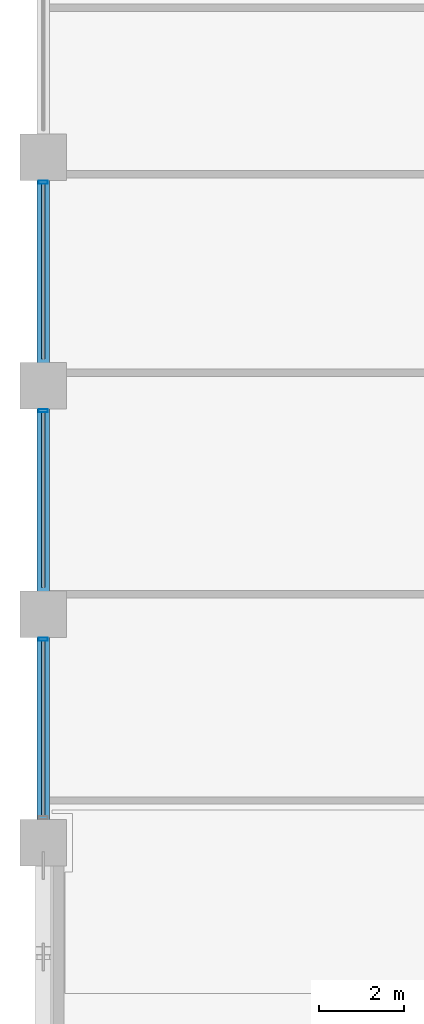
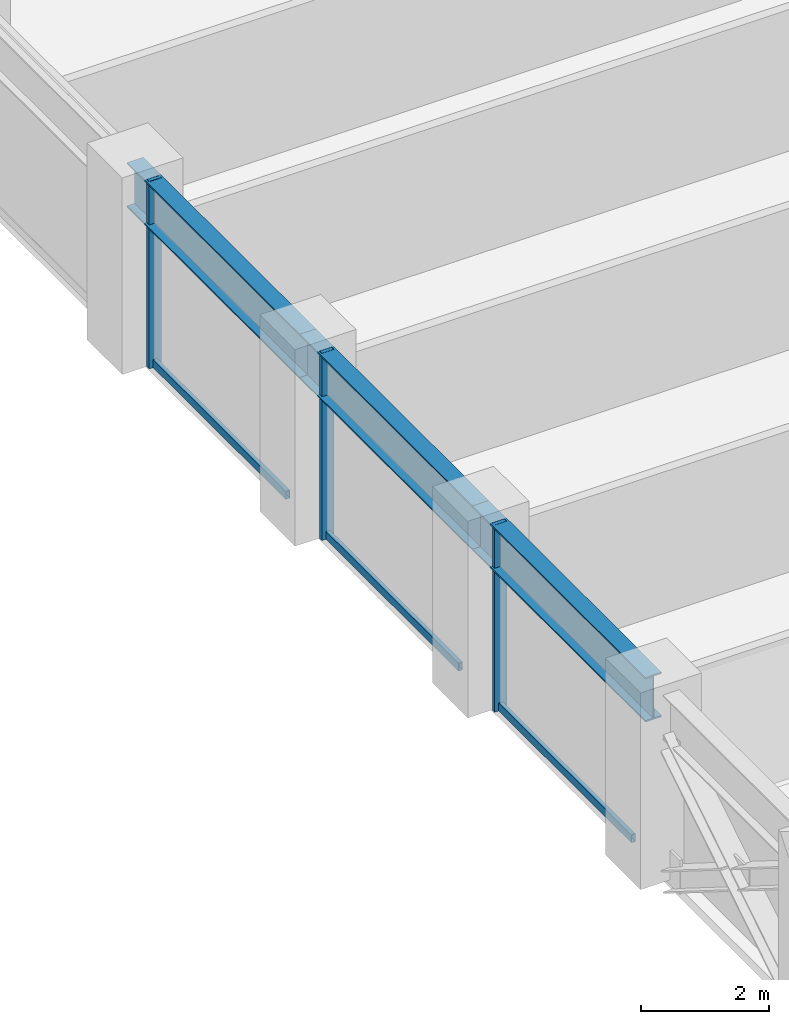
# One storey, part 6 of 25: 6 members, 3 beams, 1 element without a shape of its own.
"""IFC4 building model written with IfcOpenShell, lengths in metres."""

from ifc_helpers import new_model, si_unit, direction, frame, origin, origin_2d, place, context, subcontext, project, spatial, hollow_rectangle, i_section, extrude, material, layer, layer_set, material_profile, profile_set, type_object, element, aggregate, save


model = new_model("IFC4")

# Units and contexts
model_context = context("Model", 3, precision=1e-05, world=origin(), true_north=direction((0.0, 1.0)))
body_context = subcontext(model_context, "Body", "Model", "MODEL_VIEW")
ifc_project = project(units=[si_unit("LENGTHUNIT", "METRE"), si_unit("AREAUNIT", "SQUARE_METRE"), si_unit("VOLUMEUNIT", "CUBIC_METRE"), si_unit("PLANEANGLEUNIT", "RADIAN"), si_unit("MASSUNIT", "GRAM", prefix="KILO")], contexts=[model_context])

# Site, building, storey
site_placement = place(None, origin())
site = spatial("IfcSite", under=ifc_project, at=site_placement, CompositionType="ELEMENT")
building_placement = place(site_placement, origin())
building = spatial("IfcBuilding", under=site, at=building_placement, Name="Surkhivell Harbour Commons", CompositionType="ELEMENT")
storey_placement = place(building_placement, frame((0.0, 0.0, 109.5)))
storey = spatial("IfcBuildingStorey", under=building, at=storey_placement, Name="L28", CompositionType="ELEMENT", Elevation=109.5)

# Beams
ifc_material_1 = material(Name="Steel S460", Category="steel")
ifc_material_profile_1 = material_profile(ifc_material_1, i_section(OverallWidth=0.2939453125, OverallDepth=0.85107421875, WebThickness=0.01611328125, FlangeThickness=0.02685546875, at=origin_2d()), Name="UB838x292x226")
ifc_profile_set_1 = profile_set([ifc_material_profile_1], Name="Steel S460")
beam_type = type_object("IfcBeamType", Name="BM-SPN-838", PredefinedType="SPANDREL", material=ifc_profile_set_1)
beam_placement = place(storey_placement, frame((-32.39990234375, -10.800048828125, 3.14453125), z_axis=(0.0, 1.0, 0.0), x_axis=(-1.0, 0.0, 0.0)))
element("IfcBeam", 1, at=beam_placement, inside=storey, type_object=beam_type, Name="L28 Tube Spandrel (-32.4,-10.8)", PredefinedType="SPANDREL", context=body_context, shape_type="SweptSolid", body=[
    extrude(i_section(OverallWidth=0.2939453125, OverallDepth=0.85107421875, WebThickness=0.01611328125, FlangeThickness=0.02685546875, at=origin_2d()), origin(), (0.0, 0.0, 1.0), 5.400146484375),
])
for number, where, z_axis, x_axis, name in (
    (2, (-32.39990234375, -5.39990234375, 3.14453125), (0.0, 1.0, 0.0), (-1.0, 0.0, 0.0), "L28 Tube Spandrel (-32.4,-5.4)"),
    (3, (-32.39990234375, 0.0, 3.14453125), (0.0, 1.0, 0.0), (-1.0, 0.0, 0.0), "L28 Tube Spandrel (-32.4,0.0)"),
):
    element("IfcBeam", number, at=place(storey_placement, frame(where, z_axis=z_axis, x_axis=x_axis)), inside=storey, type_object=beam_type, Name=name, PredefinedType="SPANDREL", context=body_context, shape_type="SweptSolid", body=[
        extrude(i_section(OverallWidth=0.2939453125, OverallDepth=0.85107421875, WebThickness=0.01611328125, FlangeThickness=0.02685546875, at=origin_2d()), origin(), (0.0, 0.0, 1.0), 5.39990234375),
    ])

# Curtain wall, members
ifc_material_2 = material(Name="Anodised pale-metal aluminium and insulated glazing", Category="aluminium")
ifc_layer = layer(ifc_material_2, 0.205078125)
ifc_layer_set = layer_set([ifc_layer], Name="Anodised pale-metal aluminium and insulated glazing")
curtain_wall_type = type_object("IfcCurtainWallType", Name="CW-SYS-Z2", PredefinedType="NOTDEFINED", material=ifc_layer_set)
curtain_wall_placement = place(storey_placement, origin())
curtain_wall = element("IfcCurtainWall", 4, at=curtain_wall_placement, inside=storey, type_object=curtain_wall_type, Name="L28 Curtain Wall CW-L28-E12S1", PredefinedType="NOTDEFINED")
ifc_material_3 = material(Name="Anodised pale-metal aluminium alloy 6063-T6", Category="aluminium")
ifc_material_profile_2 = material_profile(ifc_material_3, hollow_rectangle(XDim=0.074951171875, YDim=0.219970703125, WallThickness=0.00390625, at=origin_2d()), Name="ALU-MULL-75x220")
ifc_profile_set_2 = profile_set([ifc_material_profile_2], Name="Anodised pale-metal aluminium alloy 6063-T6")
member_type_1 = type_object("IfcMemberType", Name="CWM-220", PredefinedType="MULLION", material=ifc_profile_set_2)
member_1_placement = place(storey_placement, frame((-32.39990234375, 4.810546875, 0.0), z_axis=(0.0, 0.0, 1.0), x_axis=(0.0, -1.0, 0.0)))
member_1 = element("IfcMember", 5, at=member_1_placement, type_object=member_type_1, Name="CW-Z2 mullion 4", PredefinedType="MULLION", context=body_context, shape_type="SweptSolid", body=[
    extrude(hollow_rectangle(XDim=0.074951171875, YDim=0.219970703125, WallThickness=0.00390625, at=origin_2d()), origin(), (0.0, 0.0, 1.0), 3.570068359375),
])
member_2_placement = place(storey_placement, frame((-32.39990234375, -0.589599609375, 0.0), z_axis=(0.0, 0.0, 1.0), x_axis=(0.0, -1.0, 0.0)))
member_2 = element("IfcMember", 6, at=member_2_placement, type_object=member_type_1, Name="CW-Z2 mullion 5", PredefinedType="MULLION", context=body_context, shape_type="SweptSolid", body=[
    extrude(hollow_rectangle(XDim=0.074951171875, YDim=0.219970703125, WallThickness=0.00390625, at=origin_2d()), origin(), (0.0, 0.0, 1.0), 3.570068359375),
])
member_3_placement = place(storey_placement, frame((-32.39990234375, -5.989501953125, 0.0), z_axis=(0.0, 0.0, 1.0), x_axis=(0.0, -1.0, 0.0)))
member_3 = element("IfcMember", 7, at=member_3_placement, type_object=member_type_1, Name="CW-Z2 mullion 6", PredefinedType="MULLION", context=body_context, shape_type="SweptSolid", body=[
    extrude(hollow_rectangle(XDim=0.074951171875, YDim=0.219970703125, WallThickness=0.00390625, at=origin_2d()), origin(), (0.0, 0.0, 1.0), 3.570068359375),
])
ifc_material_profile_3 = material_profile(ifc_material_3, hollow_rectangle(XDim=0.074951171875, YDim=0.14990234375, WallThickness=0.00341796875, at=origin_2d()), Name="ALU-TRAN-75x150")
ifc_profile_set_3 = profile_set([ifc_material_profile_3], Name="Anodised pale-metal aluminium alloy 6063-T6")
member_type_2 = type_object("IfcMemberType", Name="CWT-150", PredefinedType="USERDEFINED", material=ifc_profile_set_3)
member_4_placement = place(storey_placement, frame((-32.39990234375, 4.77294921875, 0.074951171875), z_axis=(0.0, -1.0, 0.0), x_axis=(1.0, 0.0, 0.0)))
member_4 = element("IfcMember", 8, at=member_4_placement, type_object=member_type_2, Name="CW-Z2 transom 4.1", ObjectType="TRANSOM", PredefinedType="USERDEFINED", context=body_context, shape_type="SweptSolid", body=[
    extrude(hollow_rectangle(XDim=0.074951171875, YDim=0.14990234375, WallThickness=0.00341796875, at=origin_2d()), origin(), (0.0, 0.0, 1.0), 4.14599609375),
])
member_5_placement = place(storey_placement, frame((-32.39990234375, -0.626953125, 0.074951171875), z_axis=(0.0, -1.0, 0.0), x_axis=(1.0, 0.0, 0.0)))
member_5 = element("IfcMember", 9, at=member_5_placement, type_object=member_type_2, Name="CW-Z2 transom 5.1", ObjectType="TRANSOM", PredefinedType="USERDEFINED", context=body_context, shape_type="SweptSolid", body=[
    extrude(hollow_rectangle(XDim=0.074951171875, YDim=0.14990234375, WallThickness=0.00341796875, at=origin_2d()), origin(), (0.0, 0.0, 1.0), 4.14599609375),
])
member_6_placement = place(storey_placement, frame((-32.39990234375, -6.027099609375, 0.074951171875), z_axis=(0.0, -1.0, 0.0), x_axis=(1.0, 0.0, 0.0)))
member_6 = element("IfcMember", 10, at=member_6_placement, type_object=member_type_2, Name="CW-Z2 transom 6.1", ObjectType="TRANSOM", PredefinedType="USERDEFINED", context=body_context, shape_type="SweptSolid", body=[
    extrude(hollow_rectangle(XDim=0.074951171875, YDim=0.14990234375, WallThickness=0.00341796875, at=origin_2d()), origin(), (0.0, 0.0, 1.0), 4.14599609375),
])
aggregate(curtain_wall, [member_1, member_4, member_2, member_5, member_3, member_6])

save(model, "model.ifc")
